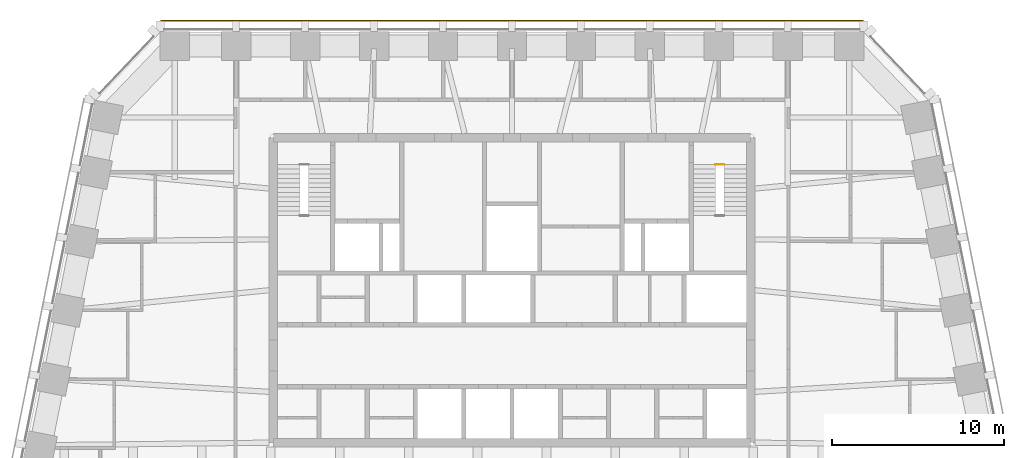
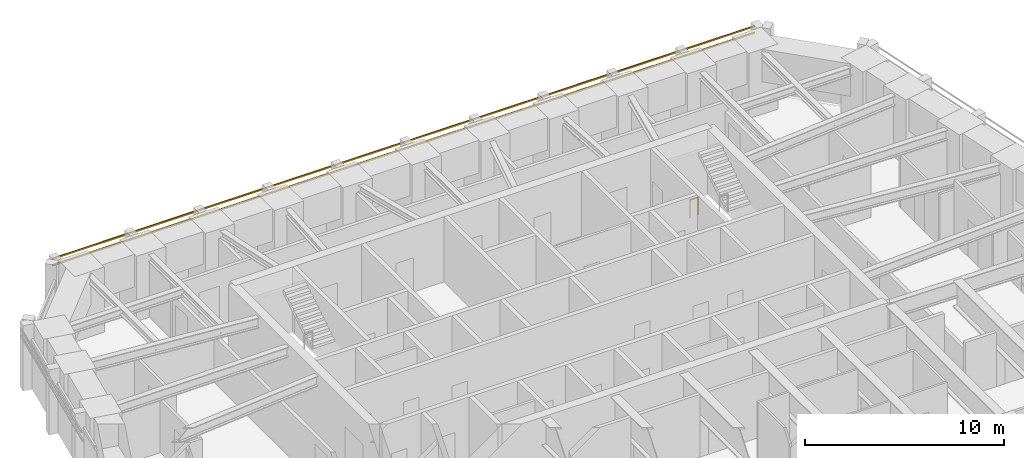
# One storey, part 13 of 13: 2 shading devices, 1 railing.
"""IFC4 building model written with IfcOpenShell, lengths in metres."""

from ifc_helpers import new_model, si_unit, direction, frame, origin, origin_2d, place, context, subcontext, project, spatial, rectangle, circle, extrude, material, material_profile, profile_set, type_object, element, save


model = new_model("IFC4")

# Units and contexts
model_context = context("Model", 3, precision=1e-05, world=origin(), true_north=direction((0.0, 1.0)))
body_context = subcontext(model_context, "Body", "Model", "MODEL_VIEW")
ifc_project = project(units=[si_unit("LENGTHUNIT", "METRE"), si_unit("AREAUNIT", "SQUARE_METRE"), si_unit("VOLUMEUNIT", "CUBIC_METRE"), si_unit("PLANEANGLEUNIT", "RADIAN"), si_unit("MASSUNIT", "GRAM", prefix="KILO")], contexts=[model_context])

# Site, building, storey
site_placement = place(None, origin())
site = spatial("IfcSite", under=ifc_project, at=site_placement, CompositionType="ELEMENT")
building_placement = place(site_placement, origin())
building = spatial("IfcBuilding", under=site, at=building_placement, Name="Isbrekke Arena Tower", CompositionType="ELEMENT")
storey_placement = place(building_placement, frame((0.0, 0.0, 280.0)))
storey = spatial("IfcBuildingStorey", under=building, at=storey_placement, Name="L65", CompositionType="ELEMENT", Elevation=280.0)

# Shading devices
ifc_material_1 = material(Name="Terracotta", Category="masonry")
ifc_material_profile = material_profile(ifc_material_1, rectangle(XDim=0.06005859375, YDim=0.06005859375, at=origin_2d()), Name="BAGUETTE 60X60")
ifc_profile_set = profile_set([ifc_material_profile], Name="Terracotta")
shading_device_type = type_object("IfcShadingDeviceType", Name="BG1 TERRACOTTA BAGUETTE 60 x 60", PredefinedType="USERDEFINED", material=ifc_profile_set)
for number, where, z_axis, x_axis, name in (
    (1, (20.39990234375, 30.655029296875, 3.280029296875), (-1.0, 0.0, 0.0), (0.0, -1.0, 0.0), "BG1 terracotta baguette N1 L65"),
    (2, (20.39990234375, 30.655029296875, 3.679931640625), (-1.0, 0.0, 0.0), (0.0, -1.0, 0.0), "BG1 terracotta baguette N2 L65"),
):
    element("IfcShadingDevice", number, at=place(storey_placement, frame(where, z_axis=z_axis, x_axis=x_axis)), inside=storey, type_object=shading_device_type, Name=name, ObjectType="TERRACOTTA BAGUETTE", PredefinedType="USERDEFINED", context=body_context, shape_type="SweptSolid", body=[
        extrude(rectangle(XDim=0.06005859375, YDim=0.06005859375, at=origin_2d()), origin(), (0.0, 0.0, 1.0), 40.7998046875),
    ])

# Railing
ifc_material_2 = material(Name="Steel stair guard, vertical bars, steel handrail", Category="steel")
railing_type = type_object("IfcRailingType", Name="GR3 STAIR WELL GUARD 1100", PredefinedType="GUARDRAIL", material=ifc_material_2)
railing_placement = place(storey_placement, frame((11.824951171875, 22.300048828125, 0.0)))
element("IfcRailing", 3, at=railing_placement, inside=storey, type_object=railing_type, Name="GR3 stair well guard ST2 L65", PredefinedType="GUARDRAIL", context=body_context, shape_type="SweptSolid", body=[
    extrude(circle(Radius=0.02392578125, at=origin_2d()), frame((0.0, 0.0, 1.076171875), z_axis=(1.0, 0.0, 0.0), x_axis=(0.0, 1.0, 0.0)), (0.0, 0.0, 1.0), 0.47509765625),
    extrude(circle(Radius=0.02099609375, at=origin_2d()), origin(), (0.0, 0.0, 1.0), 1.052001953125),
    extrude(circle(Radius=0.02099609375, at=origin_2d()), frame((0.47509765625, 0.0, 0.0)), (0.0, 0.0, 1.0), 1.052001953125),
])

save(model, "model.ifc")
